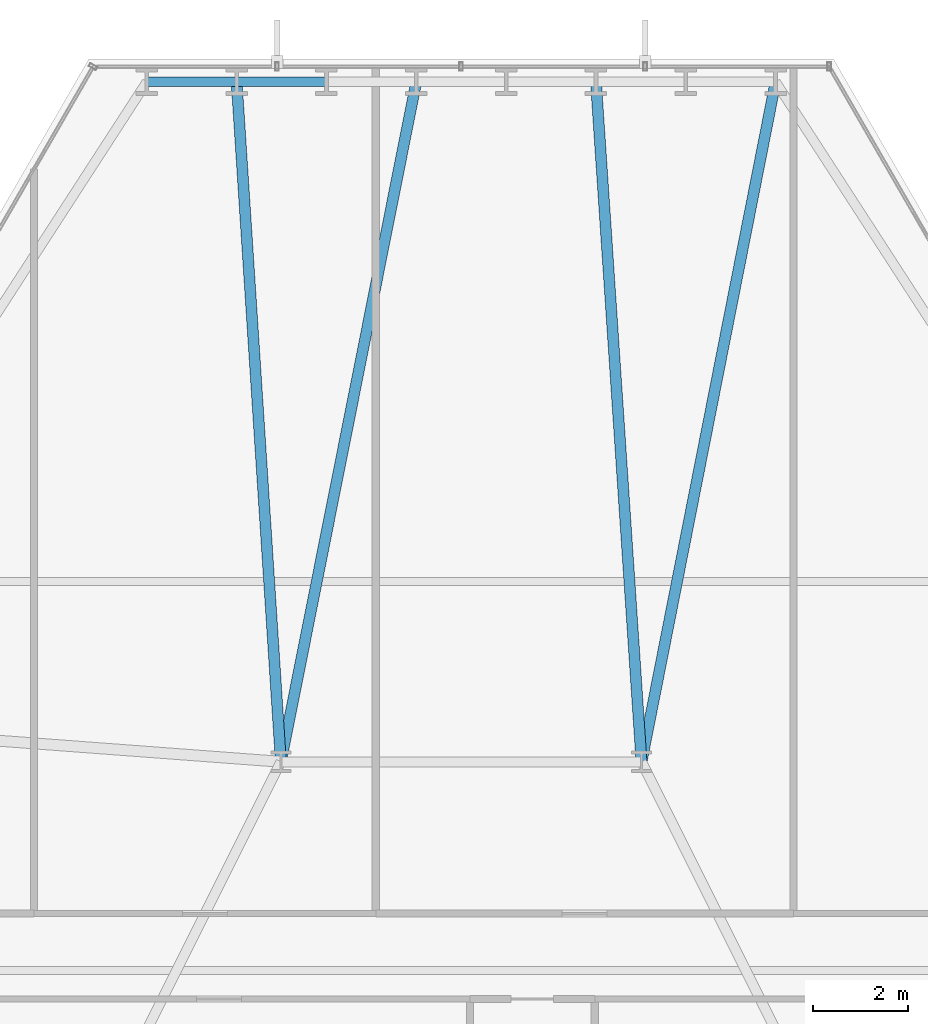
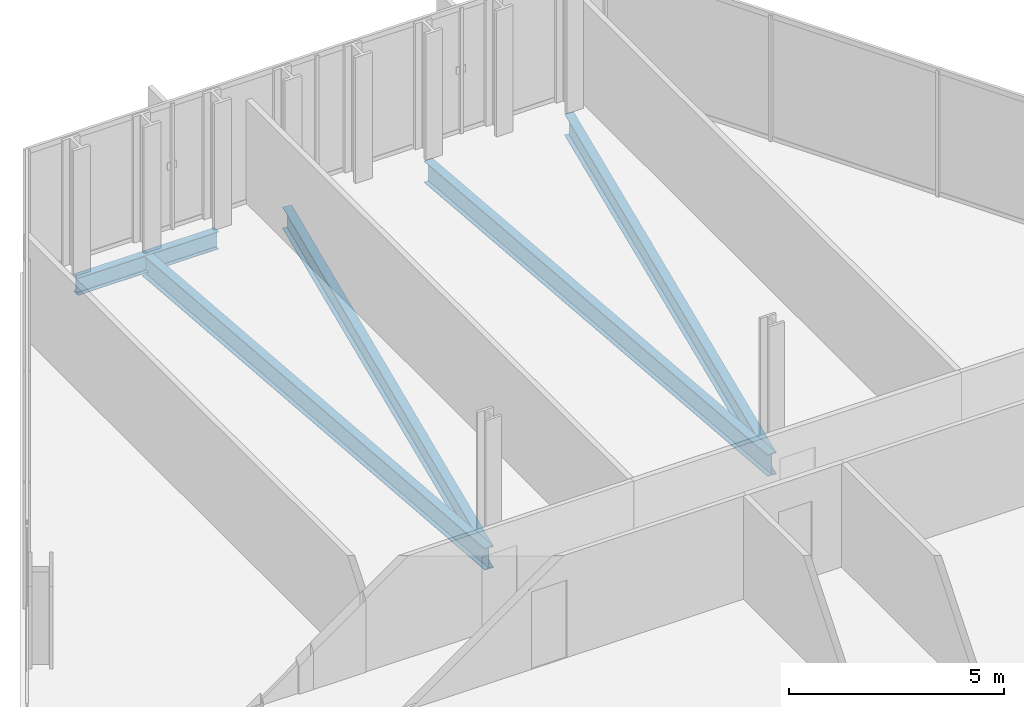
# One storey, part 22 of 32: 6 beams.
"""IFC4 building model written with IfcOpenShell, lengths in metres."""

import ifcopenshell
import ifcopenshell.guid

model = None  # the IFC model being written
_history = None  # IfcOwnerHistory: only IFC2X3 demands one
_inside = {}  # id of a spatial element -> (the spatial element, [elements in it])
_under = {}  # id of a project, library or spatial element -> (it, [spatial elements below it])
_declared = {}  # id of a project -> (the project, [libraries it declares])
_typed = {}  # id of a type object -> (the type object, [elements of that type])
_made_of = {}  # id of a material, layer set ... -> (it, [elements and type objects made of it])


def new_model(schema):
    """Start an empty IFC model of exactly this schema.

    Asked for "IFC4X3", IfcOpenShell would pick the latest addendum, in which some entities
    have other attributes; the version numbers below select the first issue.
    IFC2X3 requires an IfcOwnerHistory on every rooted entity: one is made here for all.
    """
    global model, _history
    if schema == "IFC4X3":
        model = ifcopenshell.file(schema_version=(4, 3, 0, 0))
    else:
        model = ifcopenshell.file(schema=schema)
    _inside.clear()
    _under.clear()
    _declared.clear()
    _typed.clear()
    _made_of.clear()
    _history = None
    if model.schema == "IFC2X3":
        org = make("IfcOrganization", Name="unknown")
        user = make(
            "IfcPersonAndOrganization",
            ThePerson=make("IfcPerson", FamilyName="unknown"),
            TheOrganization=org,
        )
        app = make(
            "IfcApplication",
            ApplicationDeveloper=org,
            Version="unknown",
            ApplicationFullName="unknown",
            ApplicationIdentifier="unknown",
        )
        _history = make(
            "IfcOwnerHistory",
            OwningUser=user,
            OwningApplication=app,
            ChangeAction="ADDED",
            CreationDate=0,
        )
    return model


def make(cls, **values):
    """One entity of the class cls with the attributes given. An attribute that is None is left unset."""
    return model.create_entity(
        cls, **{name: value for name, value in values.items() if value is not None}
    )


def rooted(cls, **values):
    """An entity with a GlobalId (a new one), such as an element, a storey or a relation."""
    return make(cls, GlobalId=ifcopenshell.guid.new(), OwnerHistory=_history, **values)


def si_unit(unit_type, name, prefix=None):
    """IfcSIUnit, for example si_unit("LENGTHUNIT", "METRE", prefix="MILLI")."""
    return make("IfcSIUnit", UnitType=unit_type, Prefix=prefix, Name=name)


def assignment(units):
    """IfcUnitAssignment: the units of a project."""
    return None if units is None else make("IfcUnitAssignment", Units=units)


def point(xyz):
    """IfcCartesianPoint."""
    return None if xyz is None else make("IfcCartesianPoint", Coordinates=xyz)


def direction(xyz):
    """IfcDirection."""
    return None if xyz is None else make("IfcDirection", DirectionRatios=xyz)


def frame(location, z_axis=None, x_axis=None):
    """IfcAxis2Placement3D, a coordinate frame: its origin and axes. An axis left out is left unset."""
    return make(
        "IfcAxis2Placement3D",
        Location=point(location),
        Axis=direction(z_axis),
        RefDirection=direction(x_axis),
    )


def frame_2d(location, x_axis=None):
    """IfcAxis2Placement2D, a coordinate frame in the plane: its origin and x axis."""
    return make(
        "IfcAxis2Placement2D", Location=point(location), RefDirection=direction(x_axis)
    )


def origin():
    """The frame at (0, 0, 0) with its axes left unset."""
    return frame((0.0, 0.0, 0.0))


def origin_2d():
    """The frame at (0, 0) in the plane with its x axis left unset."""
    return frame_2d((0.0, 0.0))


def place(relative_to, where):
    """IfcLocalPlacement: puts the frame where relative to a parent placement (None: the world)."""
    return make(
        "IfcLocalPlacement", PlacementRelTo=relative_to, RelativePlacement=where
    )


def context(
    kind, dimensions, precision=None, world=None, true_north=None, identifier=None
):
    """IfcGeometricRepresentationContext, for example the 3D "Model" context."""
    return make(
        "IfcGeometricRepresentationContext",
        ContextIdentifier=identifier,
        ContextType=kind,
        CoordinateSpaceDimension=dimensions,
        Precision=precision,
        WorldCoordinateSystem=world,
        TrueNorth=true_north,
    )


def subcontext(parent, identifier, kind, view, scale=None):
    """IfcGeometricRepresentationSubContext, for example "Body" below "Model"."""
    return make(
        "IfcGeometricRepresentationSubContext",
        ContextIdentifier=identifier,
        ContextType=kind,
        ParentContext=parent,
        TargetScale=scale,
        TargetView=view,
    )


def project(units=None, contexts=None):
    """IfcProject with its units and contexts."""
    return rooted(
        "IfcProject",
        Name="project",
        RepresentationContexts=contexts,
        UnitsInContext=assignment(units),
    )


def spatial(cls, under=None, at=None, **own):
    """A site, building, storey or space (cls), placed at a placement, below another one or the project."""
    s = rooted(cls, ObjectPlacement=at, **own)
    if under is not None:
        _under.setdefault(under.id(), (under, []))[1].append(s)
    return s


def profile(cls, at=None, kind="AREA", **sizes):
    """A parametric profile (cls). Its sizes go by their IFC names, for example OverallWidth=200.0."""
    return make(cls, ProfileType=kind, Position=at, **sizes)


def i_section(**sizes):
    """IfcIShapeProfileDef."""
    return profile("IfcIShapeProfileDef", **sizes)


def extrude(swept, where, along, depth):
    """IfcExtrudedAreaSolid: the profile swept, set in the frame where, extruded along a direction by depth."""
    return make(
        "IfcExtrudedAreaSolid",
        SweptArea=swept,
        Position=where,
        ExtrudedDirection=direction(along),
        Depth=depth,
    )


def shape(context_of_items, identifier, shape_type, items):
    """IfcShapeRepresentation: the items that make up one representation, for example the "Body"."""
    return make(
        "IfcShapeRepresentation",
        ContextOfItems=context_of_items,
        RepresentationIdentifier=identifier,
        RepresentationType=shape_type,
        Items=items,
    )


def material(Name=None, Category=None):
    """IfcMaterial."""
    return make("IfcMaterial", Name=Name, Category=Category)


def material_profile(
    of_material, cross_section, Name=None, Category=None, Priority=None
):
    """IfcMaterialProfile: a cross section and its material."""
    return make(
        "IfcMaterialProfile",
        Name=Name,
        Material=of_material,
        Profile=cross_section,
        Priority=Priority,
        Category=Category,
    )


def profile_set(profiles, Name=None, composite=None):
    """IfcMaterialProfileSet."""
    return make(
        "IfcMaterialProfileSet",
        Name=Name,
        MaterialProfiles=profiles,
        CompositeProfile=composite,
    )


def made_of(thing, what):
    """Note that an element or type object is made of a material, layer set ...; save() writes the relation."""
    if what is not None:
        _made_of.setdefault(what.id(), (what, []))[1].append(thing)
    return thing


def type_object(cls, material=None, **own):
    """A type object (cls), such as IfcWallType, which elements share."""
    return made_of(rooted(cls, **own), material)


def element(
    cls,
    number,
    at=None,
    inside=None,
    cuts=None,
    type_object=None,
    material=None,
    context=None,
    identifier="Body",
    shape_type=None,
    held_by="IfcProductDefinitionShape",
    body=None,
    shapes=None,
    **own,
):
    """One element of the class cls, such as IfcWall. Its Tag is "e" and its number.

    at: its placement. inside: the storey or other place that contains it. cuts: it is an
    opening in that element (IfcRelVoidsElement). A single representation is given by context,
    identifier, shape_type and body (its items); several are given by shapes. held_by: the class
    of the entity that holds the representations. save() writes the other relations.
    """
    e = rooted(cls, Tag="e%d" % number, ObjectPlacement=at, **own)
    if body is not None:
        shapes = [shape(context, identifier, shape_type, body)]
    if shapes is not None:
        e.Representation = make(held_by, Representations=shapes)
    if inside is not None:
        _inside.setdefault(inside.id(), (inside, []))[1].append(e)
    if cuts is not None:
        rooted(
            "IfcRelVoidsElement", RelatingBuildingElement=cuts, RelatedOpeningElement=e
        )
    if type_object is not None:
        _typed.setdefault(type_object.id(), (type_object, []))[1].append(e)
    return made_of(e, material)


def aggregate(whole, parts):
    """IfcRelAggregates: a whole, such as a stair, and the parts it consists of."""
    return rooted("IfcRelAggregates", RelatingObject=whole, RelatedObjects=parts)


def save(model, path):
    """Write the relations noted so far, then the file.

    IfcRelAggregates (storeys below a building ...), IfcRelContainedInSpatialStructure (elements
    in a storey), IfcRelDefinesByType, IfcRelAssociatesMaterial and IfcRelDeclares: one each for
    every whole, place, type object, material and project.
    """
    for whole, parts in _under.values():
        aggregate(whole, parts)
    for where, things in _inside.values():
        rooted(
            "IfcRelContainedInSpatialStructure",
            RelatedElements=things,
            RelatingStructure=where,
        )
    for kind, things in _typed.values():
        rooted("IfcRelDefinesByType", RelatedObjects=things, RelatingType=kind)
    for what, things in _made_of.values():
        rooted("IfcRelAssociatesMaterial", RelatedObjects=things, RelatingMaterial=what)
    for by, libraries in _declared.values():
        rooted("IfcRelDeclares", RelatingContext=by, RelatedDefinitions=libraries)
    model.write(path)


model = new_model("IFC4")

# Units and contexts
model_context = context("Model", 3, precision=1e-05, world=origin(), true_north=direction((0.0, 1.0)))
body_context = subcontext(model_context, "Body", "Model", "MODEL_VIEW")
ifc_project = project(units=[si_unit("LENGTHUNIT", "METRE"), si_unit("AREAUNIT", "SQUARE_METRE"), si_unit("VOLUMEUNIT", "CUBIC_METRE"), si_unit("PLANEANGLEUNIT", "RADIAN"), si_unit("MASSUNIT", "GRAM", prefix="KILO")], contexts=[model_context])

# Site, building, storey
site_placement = place(None, origin())
site = spatial("IfcSite", under=ifc_project, at=site_placement, CompositionType="ELEMENT")
building_placement = place(site_placement, origin())
building = spatial("IfcBuilding", under=site, at=building_placement, Name="Ndaravel Arena Tower", CompositionType="ELEMENT")
storey_placement = place(building_placement, frame((0.0, 0.0, 62.60009765625)))
storey = spatial("IfcBuildingStorey", under=building, at=storey_placement, Name="L13", CompositionType="ELEMENT", Elevation=62.60009765625)

# Beams
ifc_material_1 = material(Name="Steel S355", Category="steel")
ifc_material_profile_1 = material_profile(ifc_material_1, i_section(OverallWidth=0.230224609375, OverallDepth=0.6171875, WebThickness=0.01318359375, FlangeThickness=0.022216796875, FilletRadius=0.0126953125, at=origin_2d()), Name="UB 610x229x140")
ifc_profile_set_1 = profile_set([ifc_material_profile_1], Name="Steel S355")
beam_type_1 = type_object("IfcBeamType", Name="BM-GIRD-UB610B", PredefinedType="BEAM", material=ifc_profile_set_1)
beam_1_placement = place(storey_placement, frame((48.625, 45.52783203125, -0.52880859375), z_axis=(-0.193440572584, -0.981111994055, 0.0), x_axis=(0.981111994055, -0.193440572584, 0.0)))
element("IfcBeam", 1, at=beam_1_placement, inside=storey, type_object=beam_type_1, Name="L13 Radial Floor Girder FG-11", PredefinedType="BEAM", context=body_context, shape_type="SweptSolid", body=[
    extrude(i_section(OverallWidth=0.230224609375, OverallDepth=0.6171875, WebThickness=0.01318359375, FlangeThickness=0.022216796875, FilletRadius=0.0126953125, at=origin_2d()), origin(), (0.0, 0.0, 1.0), 14.603759765625),
])
beam_2_placement = place(storey_placement, frame((44.83935546875, 45.52783203125, -0.52880859375), z_axis=(0.066900408178, -0.997759658127, 0.0), x_axis=(0.997759658127, 0.066900408178, 0.0)))
element("IfcBeam", 2, at=beam_2_placement, inside=storey, type_object=beam_type_1, Name="L13 Radial Floor Girder FG-13", PredefinedType="BEAM", context=body_context, shape_type="SweptSolid", body=[
    extrude(i_section(OverallWidth=0.230224609375, OverallDepth=0.6171875, WebThickness=0.01318359375, FlangeThickness=0.022216796875, FilletRadius=0.0126953125, at=origin_2d()), origin(), (0.0, 0.0, 1.0), 14.360107421875),
])
beam_3_placement = place(storey_placement, frame((41.0537109375, 45.52783203125, -0.52880859375), z_axis=(-0.195338355384, -0.980735910893, 0.0), x_axis=(0.980735910893, -0.195338355384, 0.0)))
element("IfcBeam", 3, at=beam_3_placement, inside=storey, type_object=beam_type_1, Name="L13 Radial Floor Girder FG-15", PredefinedType="BEAM", context=body_context, shape_type="SweptSolid", body=[
    extrude(i_section(OverallWidth=0.230224609375, OverallDepth=0.6171875, WebThickness=0.01318359375, FlangeThickness=0.022216796875, FilletRadius=0.0126953125, at=origin_2d()), origin(), (0.0, 0.0, 1.0), 14.609375),
])
beam_4_placement = place(storey_placement, frame((37.267822265625, 45.52783203125, -0.52880859375), z_axis=(0.064919758738, -0.997890487441, 0.0), x_axis=(0.997890487441, 0.064919758738, 0.0)))
element("IfcBeam", 4, at=beam_4_placement, inside=storey, type_object=beam_type_1, Name="L13 Radial Floor Girder FG-17", PredefinedType="BEAM", context=body_context, shape_type="SweptSolid", body=[
    extrude(i_section(OverallWidth=0.230224609375, OverallDepth=0.6171875, WebThickness=0.01318359375, FlangeThickness=0.022216796875, FilletRadius=0.0126953125, at=origin_2d()), origin(), (0.0, 0.0, 1.0), 14.358154296875),
])
ifc_material_2 = material(Name="Steel S355", Category="steel")
ifc_material_profile_2 = material_profile(ifc_material_2, i_section(OverallWidth=0.199951171875, OverallDepth=0.5, WebThickness=0.01025390625, FlangeThickness=0.01611328125, FilletRadius=0.02099609375, at=origin_2d()), Name="IPE 500")
ifc_profile_set_2 = profile_set([ifc_material_profile_2], Name="Steel S355")
beam_type_2 = type_object("IfcBeamType", Name="BM-SPAN-IPE500", PredefinedType="SPANDREL", material=ifc_profile_set_2)
for number, where, z_axis, x_axis, name in (
    (5, (39.16064453125, 45.52783203125, -0.47021484375), (-1.0, 0.0, 0.0), (0.0, -1.0, 0.0), "L13 Perimeter Spandrel Beam SP-16"),
    (6, (37.267822265625, 45.52783203125, -0.47021484375), (-1.0, 0.0, 0.0), (0.0, -1.0, 0.0), "L13 Perimeter Spandrel Beam SP-17"),
):
    element("IfcBeam", number, at=place(storey_placement, frame(where, z_axis=z_axis, x_axis=x_axis)), inside=storey, type_object=beam_type_2, Name=name, PredefinedType="SPANDREL", context=body_context, shape_type="SweptSolid", body=[
        extrude(i_section(OverallWidth=0.199951171875, OverallDepth=0.5, WebThickness=0.01025390625, FlangeThickness=0.01611328125, FilletRadius=0.02099609375, at=origin_2d()), origin(), (0.0, 0.0, 1.0), 1.892822265625),
    ])

save(model, "model.ifc")
